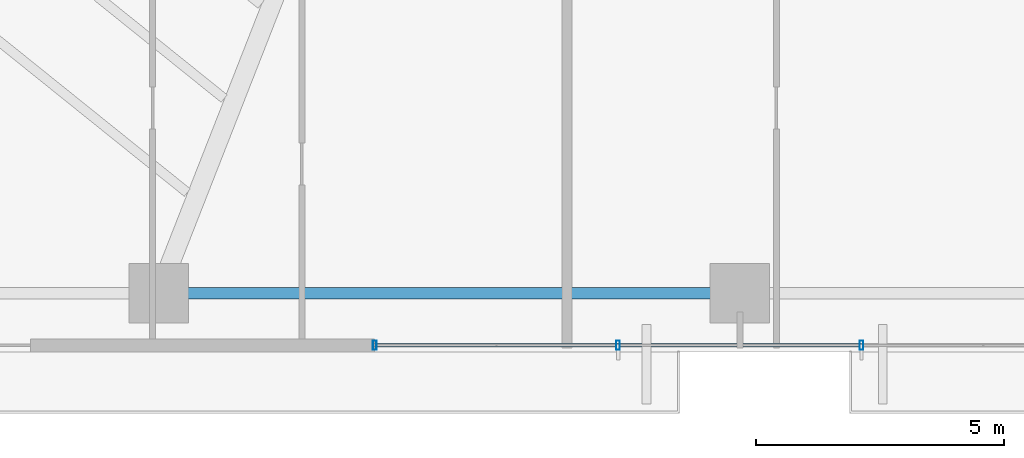
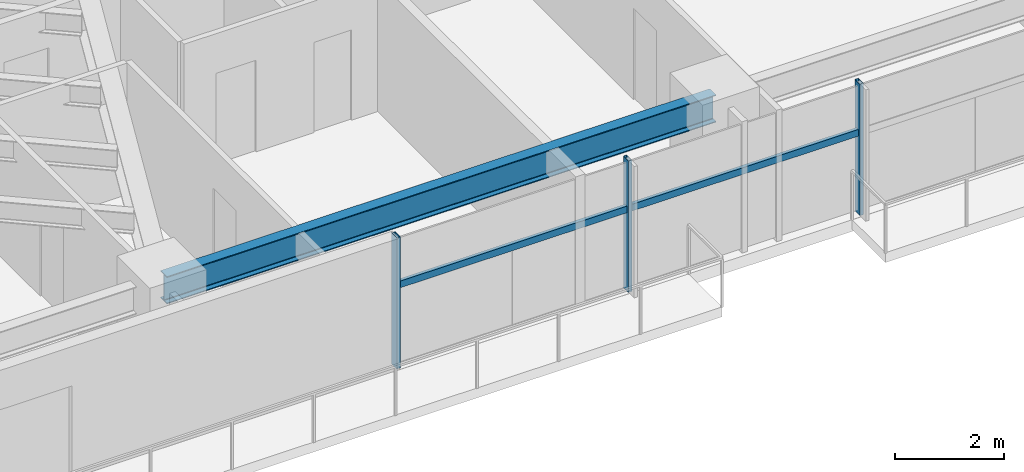
# One storey, part 6 of 25: 5 members, 1 beam, 1 element without a shape of its own.
"""IFC4 building model written with IfcOpenShell, lengths in metres."""

from ifc_helpers import new_model, si_unit, direction, frame, origin, origin_2d, place, context, subcontext, project, spatial, hollow_rectangle, i_section, extrude, source, transform, mapped, material, material_profile, profile_set, type_object, type_shapes, element, aggregate, save


model = new_model("IFC4")

# Units and contexts
model_context = context("Model", 3, precision=1e-05, world=origin(), true_north=direction((0.0, 1.0)))
body_context = subcontext(model_context, "Body", "Model", "MODEL_VIEW")
ifc_project = project(units=[si_unit("LENGTHUNIT", "METRE"), si_unit("AREAUNIT", "SQUARE_METRE"), si_unit("VOLUMEUNIT", "CUBIC_METRE"), si_unit("PLANEANGLEUNIT", "RADIAN"), si_unit("MASSUNIT", "GRAM", prefix="KILO")], contexts=[model_context])

# Site, building, storey
site_placement = place(None, origin())
site = spatial("IfcSite", under=ifc_project, at=site_placement, CompositionType="ELEMENT")
building_placement = place(site_placement, origin())
building = spatial("IfcBuilding", under=site, at=building_placement, Name="Astriad Promenade Condominiums", CompositionType="ELEMENT")
storey_placement = place(building_placement, frame((0.0, 0.0, 55.0)))
storey = spatial("IfcBuildingStorey", under=building, at=storey_placement, Name="L15", CompositionType="ELEMENT", Elevation=55.0)

# Beam
ifc_material_1 = material(Name="Steel ASTM A992 Grade 50", Category="steel")
ifc_material_profile_1 = material_profile(ifc_material_1, i_section(OverallWidth=0.22900390625, OverallDepth=0.612060546875, WebThickness=0.011962890625, FlangeThickness=0.01953125, FilletRadius=0.017822265625, at=origin_2d()), Name="W24X84")
ifc_profile_set_1 = profile_set([ifc_material_profile_1], Name="Steel ASTM A992 Grade 50")
beam_type = type_object("IfcBeamType", Name="STEEL SPANDREL BEAM W24X84", PredefinedType="SPANDREL", material=ifc_profile_set_1)
shared_shape_1 = source(origin(), body_context, "Body", "SweptSolid", [
    extrude(i_section(OverallWidth=0.22900390625, OverallDepth=0.612060546875, WebThickness=0.011962890625, FlangeThickness=0.01953125, FilletRadius=0.017822265625, at=origin_2d()), origin(), (0.0, 0.0, 1.0), 11.6201171875),
])
type_shapes(beam_type, [shared_shape_1])
beam_placement = place(storey_placement, frame((21.139892578125, 3.8798828125, 2.6337890625), z_axis=(1.0, 0.0, 0.0), x_axis=(0.0, 1.0, 0.0)))
element("IfcBeam", 1, at=beam_placement, inside=storey, type_object=beam_type, Name="Perimeter Spandrel Beam SP-S2-L15", PredefinedType="SPANDREL", context=body_context, shape_type="MappedRepresentation", body=[
    mapped(shared_shape_1, transform((0.0, 0.0, 0.0), scale=1.0)),
])

# Curtain wall, members
ifc_material_2 = material(Name="Anodised aluminium Black Dark Glass Unitised", Category="aluminium")
curtain_wall_type = type_object("IfcCurtainWallType", Name="CW-B1-DARK", PredefinedType="USERDEFINED", material=ifc_material_2)
curtain_wall_placement = place(storey_placement, origin())
curtain_wall = element("IfcCurtainWall", 2, at=curtain_wall_placement, inside=storey, type_object=curtain_wall_type, Name="CW-L15-S", ObjectType="UNITISED_CURTAIN_WALL", PredefinedType="USERDEFINED")
ifc_material_3 = material(Name="Anodised aluminium 6063-T6 Black", Category="aluminium")
ifc_material_profile_2 = material_profile(ifc_material_3, hollow_rectangle(XDim=0.074951171875, YDim=0.18505859375, WallThickness=0.00439453125, at=origin_2d()), Name="ALU-MUL-75X185")
ifc_profile_set_2 = profile_set([ifc_material_profile_2], Name="Anodised aluminium 6063-T6 Black")
member_type_1 = type_object("IfcMemberType", Name="MUL-ALU-MUL-75X185", PredefinedType="MULLION", material=ifc_profile_set_2)
shared_shape_2 = source(origin(), body_context, "Body", "SweptSolid", [
    extrude(hollow_rectangle(XDim=0.074951171875, YDim=0.18505859375, WallThickness=0.00439453125, at=origin_2d()), origin(), (0.0, 0.0, 1.0), 2.93994140625),
])
type_shapes(member_type_1, [shared_shape_2])
member_1_placement = place(storey_placement, frame((35.25, 2.830078125, 0.0), z_axis=(0.0, 0.0, 1.0), x_axis=(1.0, 0.0, 0.0)))
member_1 = element("IfcMember", 3, at=member_1_placement, type_object=member_type_1, Name="CW-L15-S-MUL-01", PredefinedType="MULLION", context=body_context, shape_type="MappedRepresentation", body=[
    mapped(shared_shape_2, transform((0.0, 0.0, 0.0), scale=1.0)),
])
member_2_placement = place(storey_placement, frame((30.35009765625, 2.830078125, 0.0), z_axis=(0.0, 0.0, 1.0), x_axis=(1.0, 0.0, 0.0)))
member_2 = element("IfcMember", 4, at=member_2_placement, type_object=member_type_1, Name="CW-L15-S-MUL-02", PredefinedType="MULLION", context=body_context, shape_type="MappedRepresentation", body=[
    mapped(shared_shape_2, transform((0.0, 0.0, 0.0), scale=1.0)),
])
member_3_placement = place(storey_placement, frame((25.449951171875, 2.830078125, 0.0), z_axis=(0.0, 0.0, 1.0), x_axis=(1.0, 0.0, 0.0)))
member_3 = element("IfcMember", 5, at=member_3_placement, type_object=member_type_1, Name="CW-L15-S-MUL-03", PredefinedType="MULLION", context=body_context, shape_type="MappedRepresentation", body=[
    mapped(shared_shape_2, transform((0.0, 0.0, 0.0), scale=1.0)),
])
ifc_material_profile_3 = material_profile(ifc_material_3, hollow_rectangle(XDim=0.074951171875, YDim=0.14990234375, WallThickness=0.004150390625, at=origin_2d()), Name="ALU-TRN-75X150")
ifc_profile_set_3 = profile_set([ifc_material_profile_3], Name="Anodised aluminium 6063-T6 Black")
member_type_2 = type_object("IfcMemberType", Name="TRN-ALU-TRN-75X150", PredefinedType="USERDEFINED", material=ifc_profile_set_3)
shared_shape_3 = source(origin(), body_context, "Body", "SweptSolid", [
    extrude(hollow_rectangle(XDim=0.074951171875, YDim=0.14990234375, WallThickness=0.004150390625, at=origin_2d()), origin(), (0.0, 0.0, 1.0), 4.900146484375),
])
member_4_placement = place(storey_placement, frame((30.35009765625, 2.830078125, 1.82275390625), z_axis=(-1.0, 0.0, 0.0), x_axis=(0.0, -1.0, 0.0)))
member_4 = element("IfcMember", 6, at=member_4_placement, type_object=member_type_2, Name="CW-L15-S-TRN-02-0", ObjectType="TRANSOM", PredefinedType="USERDEFINED", context=body_context, shape_type="MappedRepresentation", body=[
    mapped(shared_shape_3, transform((0.0, 0.0, 0.0), scale=1.0)),
])
shared_shape_4 = source(origin(), body_context, "Body", "SweptSolid", [
    extrude(hollow_rectangle(XDim=0.074951171875, YDim=0.14990234375, WallThickness=0.004150390625, at=origin_2d()), origin(), (0.0, 0.0, 1.0), 4.89990234375),
])
type_shapes(member_type_2, [shared_shape_3, shared_shape_4])
member_5_placement = place(storey_placement, frame((35.25, 2.830078125, 1.82275390625), z_axis=(-1.0, 0.0, 0.0), x_axis=(0.0, -1.0, 0.0)))
member_5 = element("IfcMember", 7, at=member_5_placement, type_object=member_type_2, Name="CW-L15-S-TRN-01-0", ObjectType="TRANSOM", PredefinedType="USERDEFINED", context=body_context, shape_type="MappedRepresentation", body=[
    mapped(shared_shape_4, transform((0.0, 0.0, 0.0), scale=1.0)),
])
aggregate(curtain_wall, [member_1, member_2, member_3, member_5, member_4])

save(model, "model.ifc")
